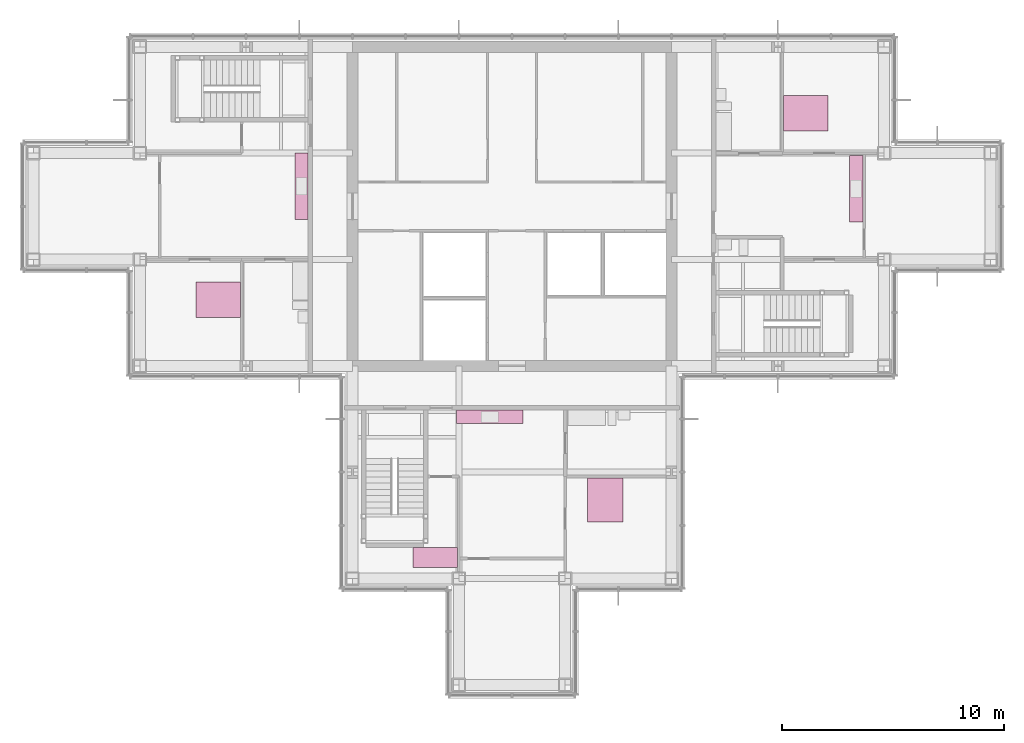
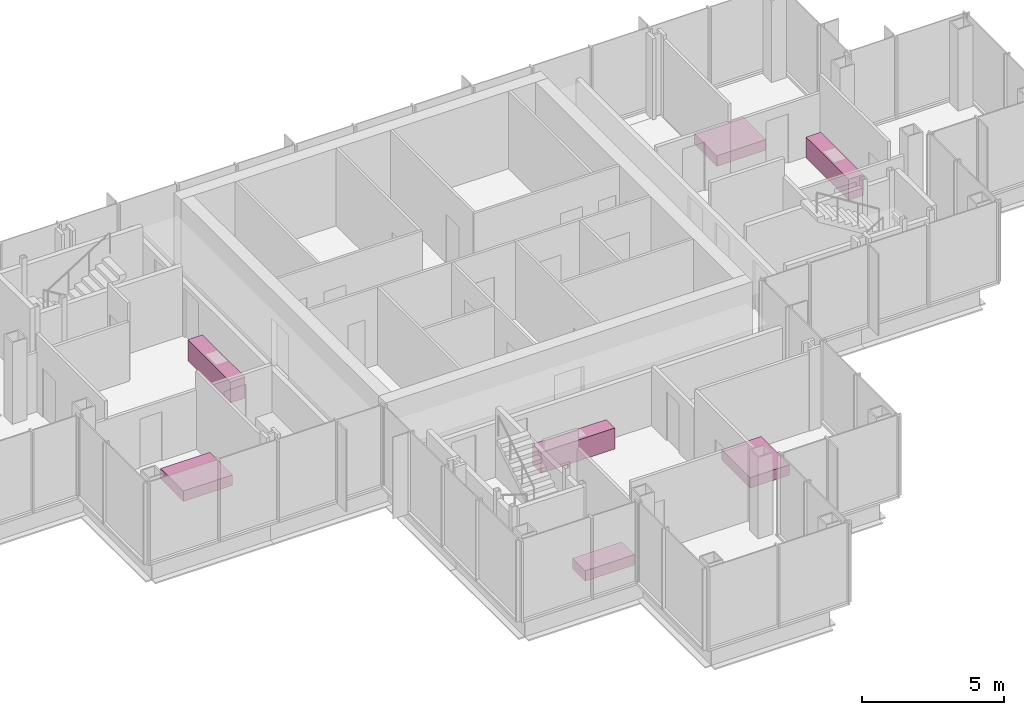
# One storey, part 15 of 15: 7 furniture elements.
"""IFC4 building model written with IfcOpenShell, lengths in metres."""

import ifcopenshell
import ifcopenshell.guid

model = None  # the IFC model being written
_history = None  # IfcOwnerHistory: only IFC2X3 demands one
_inside = {}  # id of a spatial element -> (the spatial element, [elements in it])
_under = {}  # id of a project, library or spatial element -> (it, [spatial elements below it])
_declared = {}  # id of a project -> (the project, [libraries it declares])
_typed = {}  # id of a type object -> (the type object, [elements of that type])
_made_of = {}  # id of a material, layer set ... -> (it, [elements and type objects made of it])


def new_model(schema):
    """Start an empty IFC model of exactly this schema.

    Asked for "IFC4X3", IfcOpenShell would pick the latest addendum, in which some entities
    have other attributes; the version numbers below select the first issue.
    IFC2X3 requires an IfcOwnerHistory on every rooted entity: one is made here for all.
    """
    global model, _history
    if schema == "IFC4X3":
        model = ifcopenshell.file(schema_version=(4, 3, 0, 0))
    else:
        model = ifcopenshell.file(schema=schema)
    _inside.clear()
    _under.clear()
    _declared.clear()
    _typed.clear()
    _made_of.clear()
    _history = None
    if model.schema == "IFC2X3":
        org = make("IfcOrganization", Name="unknown")
        user = make(
            "IfcPersonAndOrganization",
            ThePerson=make("IfcPerson", FamilyName="unknown"),
            TheOrganization=org,
        )
        app = make(
            "IfcApplication",
            ApplicationDeveloper=org,
            Version="unknown",
            ApplicationFullName="unknown",
            ApplicationIdentifier="unknown",
        )
        _history = make(
            "IfcOwnerHistory",
            OwningUser=user,
            OwningApplication=app,
            ChangeAction="ADDED",
            CreationDate=0,
        )
    return model


def make(cls, **values):
    """One entity of the class cls with the attributes given. An attribute that is None is left unset."""
    return model.create_entity(
        cls, **{name: value for name, value in values.items() if value is not None}
    )


def rooted(cls, **values):
    """An entity with a GlobalId (a new one), such as an element, a storey or a relation."""
    return make(cls, GlobalId=ifcopenshell.guid.new(), OwnerHistory=_history, **values)


def si_unit(unit_type, name, prefix=None):
    """IfcSIUnit, for example si_unit("LENGTHUNIT", "METRE", prefix="MILLI")."""
    return make("IfcSIUnit", UnitType=unit_type, Prefix=prefix, Name=name)


def assignment(units):
    """IfcUnitAssignment: the units of a project."""
    return None if units is None else make("IfcUnitAssignment", Units=units)


def point(xyz):
    """IfcCartesianPoint."""
    return None if xyz is None else make("IfcCartesianPoint", Coordinates=xyz)


def direction(xyz):
    """IfcDirection."""
    return None if xyz is None else make("IfcDirection", DirectionRatios=xyz)


def frame(location, z_axis=None, x_axis=None):
    """IfcAxis2Placement3D, a coordinate frame: its origin and axes. An axis left out is left unset."""
    return make(
        "IfcAxis2Placement3D",
        Location=point(location),
        Axis=direction(z_axis),
        RefDirection=direction(x_axis),
    )


def frame_2d(location, x_axis=None):
    """IfcAxis2Placement2D, a coordinate frame in the plane: its origin and x axis."""
    return make(
        "IfcAxis2Placement2D", Location=point(location), RefDirection=direction(x_axis)
    )


def origin():
    """The frame at (0, 0, 0) with its axes left unset."""
    return frame((0.0, 0.0, 0.0))


def origin_2d():
    """The frame at (0, 0) in the plane with its x axis left unset."""
    return frame_2d((0.0, 0.0))


def place(relative_to, where):
    """IfcLocalPlacement: puts the frame where relative to a parent placement (None: the world)."""
    return make(
        "IfcLocalPlacement", PlacementRelTo=relative_to, RelativePlacement=where
    )


def context(
    kind, dimensions, precision=None, world=None, true_north=None, identifier=None
):
    """IfcGeometricRepresentationContext, for example the 3D "Model" context."""
    return make(
        "IfcGeometricRepresentationContext",
        ContextIdentifier=identifier,
        ContextType=kind,
        CoordinateSpaceDimension=dimensions,
        Precision=precision,
        WorldCoordinateSystem=world,
        TrueNorth=true_north,
    )


def subcontext(parent, identifier, kind, view, scale=None):
    """IfcGeometricRepresentationSubContext, for example "Body" below "Model"."""
    return make(
        "IfcGeometricRepresentationSubContext",
        ContextIdentifier=identifier,
        ContextType=kind,
        ParentContext=parent,
        TargetScale=scale,
        TargetView=view,
    )


def project(units=None, contexts=None):
    """IfcProject with its units and contexts."""
    return rooted(
        "IfcProject",
        Name="project",
        RepresentationContexts=contexts,
        UnitsInContext=assignment(units),
    )


def spatial(cls, under=None, at=None, **own):
    """A site, building, storey or space (cls), placed at a placement, below another one or the project."""
    s = rooted(cls, ObjectPlacement=at, **own)
    if under is not None:
        _under.setdefault(under.id(), (under, []))[1].append(s)
    return s


def profile(cls, at=None, kind="AREA", **sizes):
    """A parametric profile (cls). Its sizes go by their IFC names, for example OverallWidth=200.0."""
    return make(cls, ProfileType=kind, Position=at, **sizes)


def rectangle(**sizes):
    """IfcRectangleProfileDef."""
    return profile("IfcRectangleProfileDef", **sizes)


def extrude(swept, where, along, depth):
    """IfcExtrudedAreaSolid: the profile swept, set in the frame where, extruded along a direction by depth."""
    return make(
        "IfcExtrudedAreaSolid",
        SweptArea=swept,
        Position=where,
        ExtrudedDirection=direction(along),
        Depth=depth,
    )


def shape(context_of_items, identifier, shape_type, items):
    """IfcShapeRepresentation: the items that make up one representation, for example the "Body"."""
    return make(
        "IfcShapeRepresentation",
        ContextOfItems=context_of_items,
        RepresentationIdentifier=identifier,
        RepresentationType=shape_type,
        Items=items,
    )


def material(Name=None, Category=None):
    """IfcMaterial."""
    return make("IfcMaterial", Name=Name, Category=Category)


def made_of(thing, what):
    """Note that an element or type object is made of a material, layer set ...; save() writes the relation."""
    if what is not None:
        _made_of.setdefault(what.id(), (what, []))[1].append(thing)
    return thing


def type_object(cls, material=None, **own):
    """A type object (cls), such as IfcWallType, which elements share."""
    return made_of(rooted(cls, **own), material)


def element(
    cls,
    number,
    at=None,
    inside=None,
    cuts=None,
    type_object=None,
    material=None,
    context=None,
    identifier="Body",
    shape_type=None,
    held_by="IfcProductDefinitionShape",
    body=None,
    shapes=None,
    **own,
):
    """One element of the class cls, such as IfcWall. Its Tag is "e" and its number.

    at: its placement. inside: the storey or other place that contains it. cuts: it is an
    opening in that element (IfcRelVoidsElement). A single representation is given by context,
    identifier, shape_type and body (its items); several are given by shapes. held_by: the class
    of the entity that holds the representations. save() writes the other relations.
    """
    e = rooted(cls, Tag="e%d" % number, ObjectPlacement=at, **own)
    if body is not None:
        shapes = [shape(context, identifier, shape_type, body)]
    if shapes is not None:
        e.Representation = make(held_by, Representations=shapes)
    if inside is not None:
        _inside.setdefault(inside.id(), (inside, []))[1].append(e)
    if cuts is not None:
        rooted(
            "IfcRelVoidsElement", RelatingBuildingElement=cuts, RelatedOpeningElement=e
        )
    if type_object is not None:
        _typed.setdefault(type_object.id(), (type_object, []))[1].append(e)
    return made_of(e, material)


def aggregate(whole, parts):
    """IfcRelAggregates: a whole, such as a stair, and the parts it consists of."""
    return rooted("IfcRelAggregates", RelatingObject=whole, RelatedObjects=parts)


def save(model, path):
    """Write the relations noted so far, then the file.

    IfcRelAggregates (storeys below a building ...), IfcRelContainedInSpatialStructure (elements
    in a storey), IfcRelDefinesByType, IfcRelAssociatesMaterial and IfcRelDeclares: one each for
    every whole, place, type object, material and project.
    """
    for whole, parts in _under.values():
        aggregate(whole, parts)
    for where, things in _inside.values():
        rooted(
            "IfcRelContainedInSpatialStructure",
            RelatedElements=things,
            RelatingStructure=where,
        )
    for kind, things in _typed.values():
        rooted("IfcRelDefinesByType", RelatedObjects=things, RelatingType=kind)
    for what, things in _made_of.values():
        rooted("IfcRelAssociatesMaterial", RelatedObjects=things, RelatingMaterial=what)
    for by, libraries in _declared.values():
        rooted("IfcRelDeclares", RelatingContext=by, RelatedDefinitions=libraries)
    model.write(path)


model = new_model("IFC4")

# Units and contexts
model_context = context("Model", 3, precision=1e-05, world=origin(), true_north=direction((0.0, 1.0)))
body_context = subcontext(model_context, "Body", "Model", "MODEL_VIEW")
ifc_project = project(units=[si_unit("LENGTHUNIT", "METRE"), si_unit("AREAUNIT", "SQUARE_METRE"), si_unit("VOLUMEUNIT", "CUBIC_METRE"), si_unit("PLANEANGLEUNIT", "RADIAN"), si_unit("MASSUNIT", "GRAM", prefix="KILO")], contexts=[model_context])

# Site, building, storey
site_placement = place(None, origin())
site = spatial("IfcSite", under=ifc_project, at=site_placement, CompositionType="ELEMENT")
building_placement = place(site_placement, origin())
building = spatial("IfcBuilding", under=site, at=building_placement, Name="Kvirike Care Tower", CompositionType="ELEMENT")
storey_placement = place(building_placement, frame((0.0, 0.0, 201.5)))
storey = spatial("IfcBuildingStorey", under=building, at=storey_placement, Name="L55", CompositionType="ELEMENT", Elevation=201.5)

# Furniture
ifc_material_1 = material(Name="Timber", Category="wood")
furniture_type_1 = type_object("IfcFurnitureType", Name="DOUBLE BED 1600 x 2000", AssemblyPlace="FACTORY", PredefinedType="BED", material=ifc_material_1)
for number, where, z_axis, x_axis, name in (
    (1, (8.337890625, 31.7900390625, 0.0), (0.0, 0.0, 1.0), (0.0, -1.0, 0.0), "Double bed L55-005"),
    (2, (25.81005859375, 22.738037109375, 0.0), (0.0, 0.0, 1.0), (1.0, 0.0, 0.0), "Double bed L55-012"),
    (3, (34.862060546875, 40.2099609375, 0.0), (0.0, 0.0, 1.0), (0.0, 1.0, 0.0), "Double bed L55-019"),
):
    element("IfcFurniture", number, at=place(storey_placement, frame(where, z_axis=z_axis, x_axis=x_axis)), inside=storey, type_object=furniture_type_1, Name=name, PredefinedType="BED", context=body_context, shape_type="SweptSolid", body=[
        extrude(rectangle(XDim=1.60009765625, YDim=2.0, at=origin_2d()), origin(), (0.0, 0.0, 1.0), 0.449951171875),
    ])
ifc_material_2 = material(Name="Laminated board", Category="wood")
furniture_type_2 = type_object("IfcFurnitureType", Name="KITCHEN UNIT RUN 600", AssemblyPlace="FACTORY", PredefinedType="USERDEFINED", material=ifc_material_2)
for number, where, z_axis, x_axis, name in (
    (4, (12.097900390625, 36.89990234375, 0.0), (0.0, 0.0, 1.0), (0.0, -1.0, 0.0), "Kitchen unit run L55-007"),
    (5, (20.60009765625, 26.498046875, 0.0), (0.0, 0.0, 1.0), (1.0, 0.0, 0.0), "Kitchen unit run L55-014"),
    (6, (37.137939453125, 36.7900390625, 0.0), (0.0, 0.0, 1.0), (0.0, -1.0, 0.0), "Kitchen unit run L55-022"),
):
    element("IfcFurniture", number, at=place(storey_placement, frame(where, z_axis=z_axis, x_axis=x_axis)), inside=storey, type_object=furniture_type_2, Name=name, ObjectType="KITCHEN UNIT", PredefinedType="USERDEFINED", context=body_context, shape_type="SweptSolid", body=[
        extrude(rectangle(XDim=3.0, YDim=0.60009765625, at=origin_2d()), origin(), (0.0, 0.0, 1.0), 0.89990234375),
    ])
ifc_material_3 = material(Name="Timber", Category="wood")
furniture_type_3 = type_object("IfcFurnitureType", Name="SINGLE BED 900 x 2000", AssemblyPlace="FACTORY", PredefinedType="BED", material=ifc_material_3)
furniture_placement = place(storey_placement, frame((18.137939453125, 20.139892578125, 0.0), z_axis=(0.0, 0.0, 1.0), x_axis=(0.0, -1.0, 0.0)))
element("IfcFurniture", 7, at=furniture_placement, inside=storey, type_object=furniture_type_3, Name="Single bed L55-010", PredefinedType="BED", context=body_context, shape_type="SweptSolid", body=[
    extrude(rectangle(XDim=0.89990234375, YDim=2.0, at=origin_2d()), origin(), (0.0, 0.0, 1.0), 0.449951171875),
])

save(model, "model.ifc")
